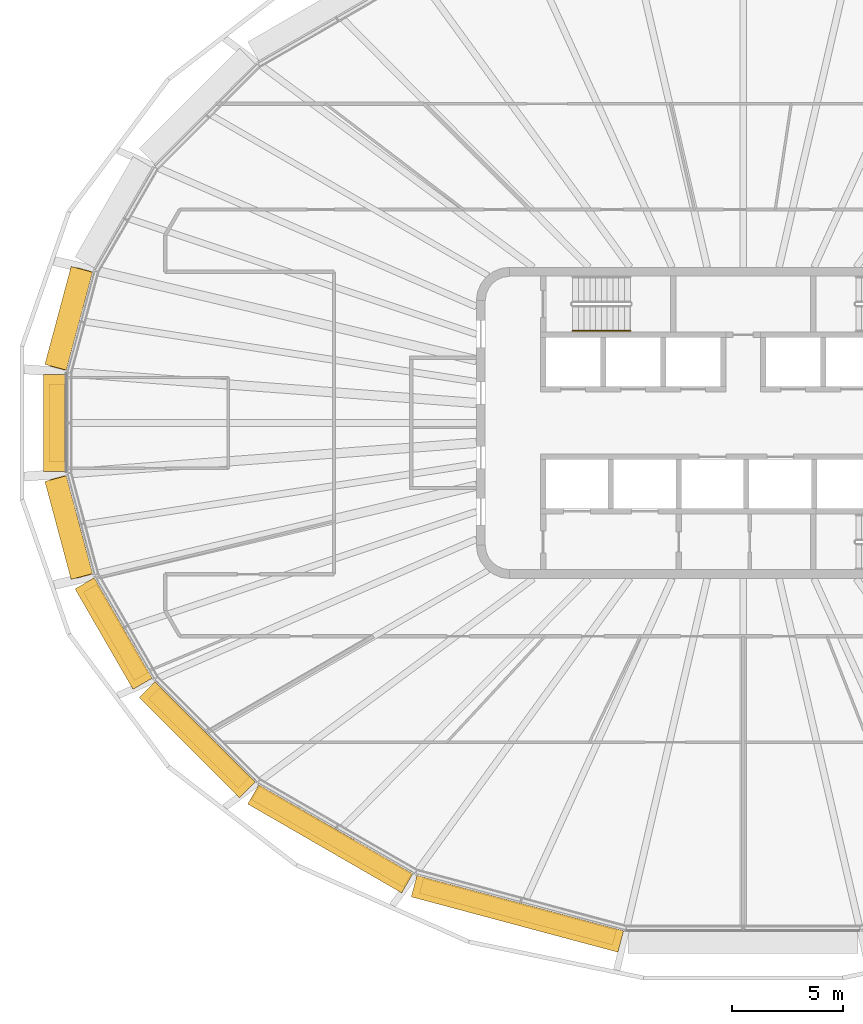
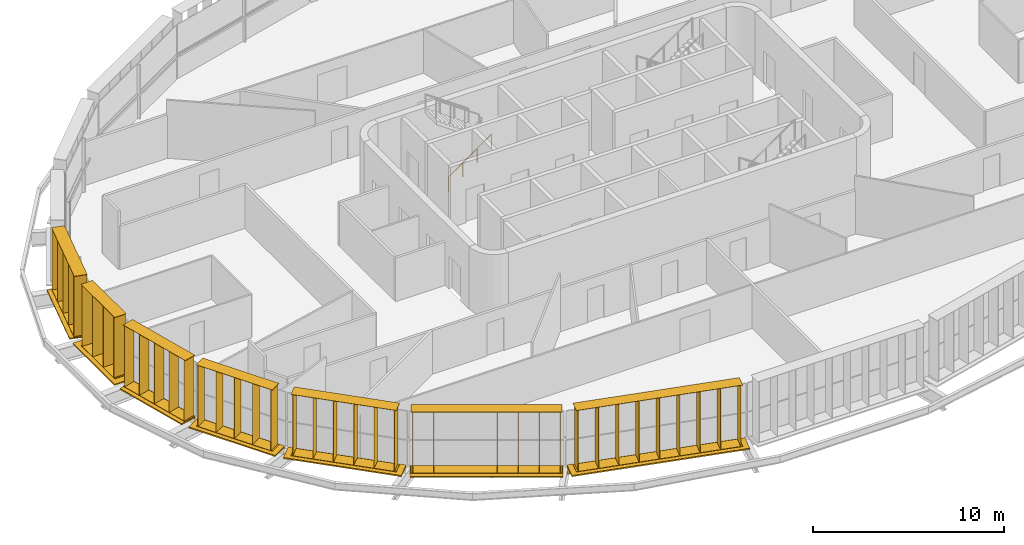
# One storey, part 15 of 19: 14 shading devices, 1 railing.
"""IFC4 building model written with IfcOpenShell, lengths in metres."""

from ifc_helpers import new_model, si_unit, direction, frame, origin, origin_2d, place, context, subcontext, project, spatial, rectangle, circle, extrude, material, type_object, element, save


model = new_model("IFC4")

# Units and contexts
model_context = context("Model", 3, precision=1e-05, world=origin(), true_north=direction((0.0, 1.0)))
body_context = subcontext(model_context, "Body", "Model", "MODEL_VIEW")
ifc_project = project(units=[si_unit("LENGTHUNIT", "METRE"), si_unit("AREAUNIT", "SQUARE_METRE"), si_unit("VOLUMEUNIT", "CUBIC_METRE"), si_unit("PLANEANGLEUNIT", "RADIAN"), si_unit("MASSUNIT", "GRAM", prefix="KILO")], contexts=[model_context])

# Site, building, storey
site_placement = place(None, origin())
site = spatial("IfcSite", under=ifc_project, at=site_placement, CompositionType="ELEMENT")
building_placement = place(site_placement, origin())
building = spatial("IfcBuilding", under=site, at=building_placement, Name="Sahrelin Media Tower", CompositionType="ELEMENT")
storey_placement = place(building_placement, frame((0.0, 0.0, 241.60009765625)))
storey = spatial("IfcBuildingStorey", under=building, at=storey_placement, Name="L52", CompositionType="ELEMENT", Elevation=241.60009765625)

# Shading devices
ifc_material_1 = material(Name="Champagne anodised aluminium 6063-T6", Category="aluminium")
shading_device_type_1 = type_object("IfcShadingDeviceType", Name="Fin cassette", PredefinedType="USERDEFINED", material=ifc_material_1)
placement_1 = place(storey_placement, frame((-29.834228515625, 4.572265625, 0.0), z_axis=(0.0, 0.0, 1.0), x_axis=(0.258807731996, 0.965928857556, 0.0)))
element("IfcShadingDevice", 1, at=placement_1, inside=storey, type_object=shading_device_type_1, Name="L52:FIN:L52-11", ObjectType="FIN", PredefinedType="USERDEFINED", context=body_context, shape_type="SweptSolid", body=[
    extrude(rectangle(XDim=4.60009765625, YDim=0.699951171875, at=origin_2d()), frame((0.0, 0.419921875, 0.0)), (0.0, 0.0, 1.0), 0.02001953125),
    extrude(rectangle(XDim=4.60009765625, YDim=0.699951171875, at=origin_2d()), frame((0.0, 0.419921875, 3.89990234375)), (0.0, 0.0, 1.0), 0.02001953125),
    extrude(rectangle(XDim=0.02001953125, YDim=0.699951171875, at=origin_2d()), frame((-2.199951171875, 0.419921875, 0.010009765625), z_axis=(0.0, 0.0, 1.0), x_axis=(1.0, 0.0, 0.0)), (0.0, 0.0, 1.0), 3.89990234375),
    extrude(rectangle(XDim=0.02001953125, YDim=0.699951171875, at=origin_2d()), frame((-1.10009765625, 0.419921875, 0.010009765625), z_axis=(0.0, 0.0, 1.0), x_axis=(1.0, 0.0, 0.0)), (0.0, 0.0, 1.0), 3.89990234375),
    extrude(rectangle(XDim=0.02001953125, YDim=0.699951171875, at=origin_2d()), frame((0.0, 0.419921875, 0.010009765625), z_axis=(0.0, 0.0, 1.0), x_axis=(1.0, 0.0, 0.0)), (0.0, 0.0, 1.0), 3.89990234375),
    extrude(rectangle(XDim=0.02001953125, YDim=0.699951171875, at=origin_2d()), frame((1.10009765625, 0.419921875, 0.010009765625), z_axis=(0.0, 0.0, 1.0), x_axis=(1.0, 0.0, 0.0)), (0.0, 0.0, 1.0), 3.89990234375),
    extrude(rectangle(XDim=0.02001953125, YDim=0.699951171875, at=origin_2d()), frame((2.199951171875, 0.419921875, 0.010009765625), z_axis=(0.0, 0.0, 1.0), x_axis=(1.0, 0.0, 0.0)), (0.0, 0.0, 1.0), 3.89990234375),
])
placement_2 = place(storey_placement, frame((-30.449951171875, 0.0, 0.0), z_axis=(0.0, 0.0, 1.0), x_axis=(0.0, 1.0, 0.0)))
element("IfcShadingDevice", 2, at=placement_2, inside=storey, type_object=shading_device_type_1, Name="L52:FIN:L52-12", ObjectType="FIN", PredefinedType="USERDEFINED", context=body_context, shape_type="SweptSolid", body=[
    extrude(rectangle(XDim=3.5, YDim=0.699951171875, at=origin_2d()), frame((0.0, 0.419921875, 0.0)), (0.0, 0.0, 1.0), 0.02001953125),
    extrude(rectangle(XDim=3.5, YDim=0.699951171875, at=origin_2d()), frame((0.0, 0.419921875, 3.89990234375)), (0.0, 0.0, 1.0), 0.02001953125),
    extrude(rectangle(XDim=0.02001953125, YDim=0.699951171875, at=origin_2d()), frame((-1.64990234375, 0.419921875, 0.010009765625), z_axis=(0.0, 0.0, 1.0), x_axis=(1.0, 0.0, 0.0)), (0.0, 0.0, 1.0), 3.89990234375),
    extrude(rectangle(XDim=0.02001953125, YDim=0.699951171875, at=origin_2d()), frame((-0.550048828125, 0.419921875, 0.010009765625), z_axis=(0.0, 0.0, 1.0), x_axis=(1.0, 0.0, 0.0)), (0.0, 0.0, 1.0), 3.89990234375),
    extrude(rectangle(XDim=0.02001953125, YDim=0.699951171875, at=origin_2d()), frame((0.550048828125, 0.419921875, 0.010009765625), z_axis=(0.0, 0.0, 1.0), x_axis=(1.0, 0.0, 0.0)), (0.0, 0.0, 1.0), 3.89990234375),
    extrude(rectangle(XDim=0.02001953125, YDim=0.699951171875, at=origin_2d()), frame((1.64990234375, 0.419921875, 0.010009765625), z_axis=(0.0, 0.0, 1.0), x_axis=(1.0, 0.0, 0.0)), (0.0, 0.0, 1.0), 3.89990234375),
])
placement_3 = place(storey_placement, frame((-29.83447265625, -4.572265625, 0.0), z_axis=(0.0, 0.0, 1.0), x_axis=(-0.258807731996, 0.965928857556, 0.0)))
element("IfcShadingDevice", 3, at=placement_3, inside=storey, type_object=shading_device_type_1, Name="L52:FIN:L52-13", ObjectType="FIN", PredefinedType="USERDEFINED", context=body_context, shape_type="SweptSolid", body=[
    extrude(rectangle(XDim=4.60009765625, YDim=0.699951171875, at=origin_2d()), frame((0.0, 0.419921875, 0.0)), (0.0, 0.0, 1.0), 0.02001953125),
    extrude(rectangle(XDim=4.60009765625, YDim=0.699951171875, at=origin_2d()), frame((0.0, 0.419921875, 3.89990234375)), (0.0, 0.0, 1.0), 0.02001953125),
    extrude(rectangle(XDim=0.02001953125, YDim=0.699951171875, at=origin_2d()), frame((-2.199951171875, 0.419921875, 0.010009765625), z_axis=(0.0, 0.0, 1.0), x_axis=(1.0, 0.0, 0.0)), (0.0, 0.0, 1.0), 3.89990234375),
    extrude(rectangle(XDim=0.02001953125, YDim=0.699951171875, at=origin_2d()), frame((-1.10009765625, 0.419921875, 0.010009765625), z_axis=(0.0, 0.0, 1.0), x_axis=(1.0, 0.0, 0.0)), (0.0, 0.0, 1.0), 3.89990234375),
    extrude(rectangle(XDim=0.02001953125, YDim=0.699951171875, at=origin_2d()), frame((0.0, 0.419921875, 0.010009765625), z_axis=(0.0, 0.0, 1.0), x_axis=(1.0, 0.0, 0.0)), (0.0, 0.0, 1.0), 3.89990234375),
    extrude(rectangle(XDim=0.02001953125, YDim=0.699951171875, at=origin_2d()), frame((1.10009765625, 0.419921875, 0.010009765625), z_axis=(0.0, 0.0, 1.0), x_axis=(1.0, 0.0, 0.0)), (0.0, 0.0, 1.0), 3.89990234375),
    extrude(rectangle(XDim=0.02001953125, YDim=0.699951171875, at=origin_2d()), frame((2.199951171875, 0.419921875, 0.010009765625), z_axis=(0.0, 0.0, 1.0), x_axis=(1.0, 0.0, 0.0)), (0.0, 0.0, 1.0), 3.89990234375),
])
placement_4 = place(storey_placement, frame((-27.865234375, -9.214111328125, 0.0), z_axis=(0.0, 0.0, 1.0), x_axis=(-0.500011000363, 0.866019052629, 0.0)))
element("IfcShadingDevice", 4, at=placement_4, inside=storey, type_object=shading_device_type_1, Name="L52:FIN:L52-14", ObjectType="FIN", PredefinedType="USERDEFINED", context=body_context, shape_type="SweptSolid", body=[
    extrude(rectangle(XDim=4.60009765625, YDim=0.699951171875, at=origin_2d()), frame((0.0, 0.419921875, 0.0)), (0.0, 0.0, 1.0), 0.02001953125),
    extrude(rectangle(XDim=4.60009765625, YDim=0.699951171875, at=origin_2d()), frame((0.0, 0.419921875, 3.89990234375)), (0.0, 0.0, 1.0), 0.02001953125),
    extrude(rectangle(XDim=0.02001953125, YDim=0.699951171875, at=origin_2d()), frame((-2.199951171875, 0.419921875, 0.010009765625), z_axis=(0.0, 0.0, 1.0), x_axis=(1.0, 0.0, 0.0)), (0.0, 0.0, 1.0), 3.89990234375),
    extrude(rectangle(XDim=0.02001953125, YDim=0.699951171875, at=origin_2d()), frame((-1.10009765625, 0.419921875, 0.010009765625), z_axis=(0.0, 0.0, 1.0), x_axis=(1.0, 0.0, 0.0)), (0.0, 0.0, 1.0), 3.89990234375),
    extrude(rectangle(XDim=0.02001953125, YDim=0.699951171875, at=origin_2d()), frame((0.0, 0.419921875, 0.010009765625), z_axis=(0.0, 0.0, 1.0), x_axis=(1.0, 0.0, 0.0)), (0.0, 0.0, 1.0), 3.89990234375),
    extrude(rectangle(XDim=0.02001953125, YDim=0.699951171875, at=origin_2d()), frame((1.10009765625, 0.419921875, 0.010009765625), z_axis=(0.0, 0.0, 1.0), x_axis=(1.0, 0.0, 0.0)), (0.0, 0.0, 1.0), 3.89990234375),
    extrude(rectangle(XDim=0.02001953125, YDim=0.699951171875, at=origin_2d()), frame((2.199951171875, 0.419921875, 0.010009765625), z_axis=(0.0, 0.0, 1.0), x_axis=(1.0, 0.0, 0.0)), (0.0, 0.0, 1.0), 3.89990234375),
])
placement_5 = place(storey_placement, frame((-24.1865234375, -13.883544921875, 0.0), z_axis=(0.0, 0.0, 1.0), x_axis=(-0.707106781187, 0.707106781187, 0.0)))
element("IfcShadingDevice", 5, at=placement_5, inside=storey, type_object=shading_device_type_1, Name="L52:FIN:L52-15", ObjectType="FIN", PredefinedType="USERDEFINED", context=body_context, shape_type="SweptSolid", body=[
    extrude(rectangle(XDim=5.699951171875, YDim=0.699951171875, at=origin_2d()), frame((0.0, 0.419921875, 0.0)), (0.0, 0.0, 1.0), 0.02001953125),
    extrude(rectangle(XDim=5.699951171875, YDim=0.699951171875, at=origin_2d()), frame((0.0, 0.419921875, 3.89990234375)), (0.0, 0.0, 1.0), 0.02001953125),
    extrude(rectangle(XDim=0.02001953125, YDim=0.699951171875, at=origin_2d()), frame((-2.75, 0.419921875, 0.010009765625), z_axis=(0.0, 0.0, 1.0), x_axis=(1.0, 0.0, 0.0)), (0.0, 0.0, 1.0), 3.89990234375),
    extrude(rectangle(XDim=0.02001953125, YDim=0.699951171875, at=origin_2d()), frame((-1.64990234375, 0.419921875, 0.010009765625), z_axis=(0.0, 0.0, 1.0), x_axis=(1.0, 0.0, 0.0)), (0.0, 0.0, 1.0), 3.89990234375),
    extrude(rectangle(XDim=0.02001953125, YDim=0.699951171875, at=origin_2d()), frame((-0.550048828125, 0.419921875, 0.010009765625), z_axis=(0.0, 0.0, 1.0), x_axis=(1.0, 0.0, 0.0)), (0.0, 0.0, 1.0), 3.89990234375),
    extrude(rectangle(XDim=0.02001953125, YDim=0.699951171875, at=origin_2d()), frame((0.550048828125, 0.419921875, 0.010009765625), z_axis=(0.0, 0.0, 1.0), x_axis=(1.0, 0.0, 0.0)), (0.0, 0.0, 1.0), 3.89990234375),
    extrude(rectangle(XDim=0.02001953125, YDim=0.699951171875, at=origin_2d()), frame((1.64990234375, 0.419921875, 0.010009765625), z_axis=(0.0, 0.0, 1.0), x_axis=(1.0, 0.0, 0.0)), (0.0, 0.0, 1.0), 3.89990234375),
    extrude(rectangle(XDim=0.02001953125, YDim=0.699951171875, at=origin_2d()), frame((2.75, 0.419921875, 0.010009765625), z_axis=(0.0, 0.0, 1.0), x_axis=(1.0, 0.0, 0.0)), (0.0, 0.0, 1.0), 3.89990234375),
])
placement_6 = place(storey_placement, frame((-18.3115234375, -18.25830078125, 0.0), z_axis=(0.0, 0.0, 1.0), x_axis=(-0.866019052629, 0.500011000363, 0.0)))
element("IfcShadingDevice", 6, at=placement_6, inside=storey, type_object=shading_device_type_1, Name="L52:FIN:L52-16", ObjectType="FIN", PredefinedType="USERDEFINED", context=body_context, shape_type="SweptSolid", body=[
    extrude(rectangle(XDim=7.89990234375, YDim=0.699951171875, at=origin_2d()), frame((0.0, 0.419921875, 0.0)), (0.0, 0.0, 1.0), 0.02001953125),
    extrude(rectangle(XDim=7.89990234375, YDim=0.699951171875, at=origin_2d()), frame((0.0, 0.419921875, 3.89990234375)), (0.0, 0.0, 1.0), 0.02001953125),
    extrude(rectangle(XDim=0.02001953125, YDim=0.699951171875, at=origin_2d()), frame((-3.85009765625, 0.419921875, 0.010009765625), z_axis=(0.0, 0.0, 1.0), x_axis=(1.0, 0.0, 0.0)), (0.0, 0.0, 1.0), 3.89990234375),
    extrude(rectangle(XDim=0.02001953125, YDim=0.699951171875, at=origin_2d()), frame((-2.75, 0.419921875, 0.010009765625), z_axis=(0.0, 0.0, 1.0), x_axis=(1.0, 0.0, 0.0)), (0.0, 0.0, 1.0), 3.89990234375),
    extrude(rectangle(XDim=0.02001953125, YDim=0.699951171875, at=origin_2d()), frame((-1.64990234375, 0.419921875, 0.010009765625), z_axis=(0.0, 0.0, 1.0), x_axis=(1.0, 0.0, 0.0)), (0.0, 0.0, 1.0), 3.89990234375),
    extrude(rectangle(XDim=0.02001953125, YDim=0.699951171875, at=origin_2d()), frame((-0.550048828125, 0.419921875, 0.010009765625), z_axis=(0.0, 0.0, 1.0), x_axis=(1.0, 0.0, 0.0)), (0.0, 0.0, 1.0), 3.89990234375),
    extrude(rectangle(XDim=0.02001953125, YDim=0.699951171875, at=origin_2d()), frame((0.550048828125, 0.419921875, 0.010009765625), z_axis=(0.0, 0.0, 1.0), x_axis=(1.0, 0.0, 0.0)), (0.0, 0.0, 1.0), 3.89990234375),
    extrude(rectangle(XDim=0.02001953125, YDim=0.699951171875, at=origin_2d()), frame((1.64990234375, 0.419921875, 0.010009765625), z_axis=(0.0, 0.0, 1.0), x_axis=(1.0, 0.0, 0.0)), (0.0, 0.0, 1.0), 3.89990234375),
    extrude(rectangle(XDim=0.02001953125, YDim=0.699951171875, at=origin_2d()), frame((2.75, 0.419921875, 0.010009765625), z_axis=(0.0, 0.0, 1.0), x_axis=(1.0, 0.0, 0.0)), (0.0, 0.0, 1.0), 3.89990234375),
    extrude(rectangle(XDim=0.02001953125, YDim=0.699951171875, at=origin_2d()), frame((3.85009765625, 0.419921875, 0.010009765625), z_axis=(0.0, 0.0, 1.0), x_axis=(1.0, 0.0, 0.0)), (0.0, 0.0, 1.0), 3.89990234375),
])
placement_7 = place(storey_placement, frame((-10.017578125, -21.57861328125, 0.0), z_axis=(0.0, 0.0, 1.0), x_axis=(-0.965928857556, 0.258807731996, 0.0)))
element("IfcShadingDevice", 7, at=placement_7, inside=storey, type_object=shading_device_type_1, Name="L52:FIN:L52-17", ObjectType="FIN", PredefinedType="USERDEFINED", context=body_context, shape_type="SweptSolid", body=[
    extrude(rectangle(XDim=9.0, YDim=0.699951171875, at=origin_2d()), frame((0.0, 0.419921875, 0.0)), (0.0, 0.0, 1.0), 0.02001953125),
    extrude(rectangle(XDim=9.0, YDim=0.699951171875, at=origin_2d()), frame((0.0, 0.419921875, 3.89990234375)), (0.0, 0.0, 1.0), 0.02001953125),
    extrude(rectangle(XDim=0.02001953125, YDim=0.699951171875, at=origin_2d()), frame((-4.39990234375, 0.419921875, 0.010009765625), z_axis=(0.0, 0.0, 1.0), x_axis=(1.0, 0.0, 0.0)), (0.0, 0.0, 1.0), 3.89990234375),
    extrude(rectangle(XDim=0.02001953125, YDim=0.699951171875, at=origin_2d()), frame((-3.300048828125, 0.419921875, 0.010009765625), z_axis=(0.0, 0.0, 1.0), x_axis=(1.0, 0.0, 0.0)), (0.0, 0.0, 1.0), 3.89990234375),
    extrude(rectangle(XDim=0.02001953125, YDim=0.699951171875, at=origin_2d()), frame((-2.199951171875, 0.419921875, 0.010009765625), z_axis=(0.0, 0.0, 1.0), x_axis=(1.0, 0.0, 0.0)), (0.0, 0.0, 1.0), 3.89990234375),
    extrude(rectangle(XDim=0.02001953125, YDim=0.699951171875, at=origin_2d()), frame((-1.10009765625, 0.419921875, 0.010009765625), z_axis=(0.0, 0.0, 1.0), x_axis=(1.0, 0.0, 0.0)), (0.0, 0.0, 1.0), 3.89990234375),
    extrude(rectangle(XDim=0.02001953125, YDim=0.699951171875, at=origin_2d()), frame((0.0, 0.419921875, 0.010009765625), z_axis=(0.0, 0.0, 1.0), x_axis=(1.0, 0.0, 0.0)), (0.0, 0.0, 1.0), 3.89990234375),
    extrude(rectangle(XDim=0.02001953125, YDim=0.699951171875, at=origin_2d()), frame((1.10009765625, 0.419921875, 0.010009765625), z_axis=(0.0, 0.0, 1.0), x_axis=(1.0, 0.0, 0.0)), (0.0, 0.0, 1.0), 3.89990234375),
    extrude(rectangle(XDim=0.02001953125, YDim=0.699951171875, at=origin_2d()), frame((2.199951171875, 0.419921875, 0.010009765625), z_axis=(0.0, 0.0, 1.0), x_axis=(1.0, 0.0, 0.0)), (0.0, 0.0, 1.0), 3.89990234375),
    extrude(rectangle(XDim=0.02001953125, YDim=0.699951171875, at=origin_2d()), frame((3.300048828125, 0.419921875, 0.010009765625), z_axis=(0.0, 0.0, 1.0), x_axis=(1.0, 0.0, 0.0)), (0.0, 0.0, 1.0), 3.89990234375),
    extrude(rectangle(XDim=0.02001953125, YDim=0.699951171875, at=origin_2d()), frame((4.39990234375, 0.419921875, 0.010009765625), z_axis=(0.0, 0.0, 1.0), x_axis=(1.0, 0.0, 0.0)), (0.0, 0.0, 1.0), 3.89990234375),
])

# Railing
ifc_material_2 = material(Name="Steel S355", Category="steel")
railing_type = type_object("IfcRailingType", Name="Stair handrail 900", PredefinedType="HANDRAIL", material=ifc_material_2)
railing_placement = place(storey_placement, frame((-7.675048828125, 4.14990234375, 0.181640625)))
element("IfcRailing", 8, at=railing_placement, inside=storey, type_object=railing_type, Name="L52 ST1 stair handrail 1", PredefinedType="HANDRAIL", context=body_context, shape_type="SweptSolid", body=[
    extrude(circle(Radius=0.02392578125, at=origin_2d()), frame((0.0, 0.0, 0.8759765625), z_axis=(0.819484887739, 0.0, 0.573100792852), x_axis=(0.0, 1.0, 0.0)), (0.0, 0.0, 1.0), 3.1728515625),
    extrude(circle(Radius=0.02099609375, at=origin_2d()), origin(), (0.0, 0.0, 1.0), 0.851806640625),
    extrude(circle(Radius=0.02099609375, at=origin_2d()), frame((0.86669921875, 0.0, 0.606201171875)), (0.0, 0.0, 1.0), 0.851806640625),
    extrude(circle(Radius=0.02099609375, at=origin_2d()), frame((1.7333984375, 0.0, 1.212158203125)), (0.0, 0.0, 1.0), 0.851806640625),
    extrude(circle(Radius=0.02099609375, at=origin_2d()), frame((2.60009765625, 0.0, 1.818359375)), (0.0, 0.0, 1.0), 0.851806640625),
])

# Shading devices
shading_device_type_2 = type_object("IfcShadingDeviceType", Name="Sunshade band", PredefinedType="USERDEFINED", material=ifc_material_1)
element("IfcShadingDevice", 9, at=placement_1, inside=storey, type_object=shading_device_type_2, Name="L52:SUN:L52-11", ObjectType="SUNSHADE", PredefinedType="USERDEFINED", context=body_context, shape_type="SweptSolid", body=[
    extrude(rectangle(XDim=4.5576171875, YDim=0.050048828125, at=origin_2d()), frame((0.0, 0.044921875, -0.55126953125)), (0.0, 0.0, 1.0), 0.471435546875),
    extrude(rectangle(XDim=4.5576171875, YDim=1.0, at=origin_2d()), frame((0.0, 0.52001953125, -0.080078125)), (0.0, 0.0, 1.0), 0.080078125),
    extrude(rectangle(XDim=0.10009765625, YDim=0.074951171875, at=origin_2d()), frame((-2.1787109375, -0.017578125, -0.47021484375)), (0.0, 0.0, 1.0), 0.300048828125),
    extrude(rectangle(XDim=0.10009765625, YDim=0.074951171875, at=origin_2d()), frame((-0.726318359375, -0.017578125, -0.47021484375)), (0.0, 0.0, 1.0), 0.300048828125),
    extrude(rectangle(XDim=0.10009765625, YDim=0.074951171875, at=origin_2d()), frame((0.726318359375, -0.017578125, -0.47021484375)), (0.0, 0.0, 1.0), 0.300048828125),
    extrude(rectangle(XDim=0.10009765625, YDim=0.074951171875, at=origin_2d()), frame((2.1787109375, -0.017578125, -0.47021484375)), (0.0, 0.0, 1.0), 0.300048828125),
])
element("IfcShadingDevice", 10, at=placement_2, inside=storey, type_object=shading_device_type_2, Name="L52:SUN:L52-12", ObjectType="SUNSHADE", PredefinedType="USERDEFINED", context=body_context, shape_type="SweptSolid", body=[
    extrude(rectangle(XDim=4.34912109375, YDim=0.050048828125, at=origin_2d()), frame((0.0, 0.044921875, -0.55126953125)), (0.0, 0.0, 1.0), 0.471435546875),
    extrude(rectangle(XDim=4.34912109375, YDim=1.0, at=origin_2d()), frame((0.0, 0.52001953125, -0.080078125)), (0.0, 0.0, 1.0), 0.080078125),
    extrude(rectangle(XDim=0.10009765625, YDim=0.074951171875, at=origin_2d()), frame((-2.074462890625, -0.017578125, -0.47021484375)), (0.0, 0.0, 1.0), 0.300048828125),
    extrude(rectangle(XDim=0.10009765625, YDim=0.074951171875, at=origin_2d()), frame((-0.69140625, -0.017578125, -0.47021484375)), (0.0, 0.0, 1.0), 0.300048828125),
    extrude(rectangle(XDim=0.10009765625, YDim=0.074951171875, at=origin_2d()), frame((0.69140625, -0.017578125, -0.47021484375)), (0.0, 0.0, 1.0), 0.300048828125),
    extrude(rectangle(XDim=0.10009765625, YDim=0.074951171875, at=origin_2d()), frame((2.074462890625, -0.017578125, -0.47021484375)), (0.0, 0.0, 1.0), 0.300048828125),
])
element("IfcShadingDevice", 11, at=placement_3, inside=storey, type_object=shading_device_type_2, Name="L52:SUN:L52-13", ObjectType="SUNSHADE", PredefinedType="USERDEFINED", context=body_context, shape_type="SweptSolid", body=[
    extrude(rectangle(XDim=4.5576171875, YDim=0.050048828125, at=origin_2d()), frame((0.0, 0.044921875, -0.55126953125)), (0.0, 0.0, 1.0), 0.471435546875),
    extrude(rectangle(XDim=4.5576171875, YDim=1.0, at=origin_2d()), frame((0.0, 0.52001953125, -0.080078125)), (0.0, 0.0, 1.0), 0.080078125),
    extrude(rectangle(XDim=0.10009765625, YDim=0.074951171875, at=origin_2d()), frame((-2.1787109375, -0.017578125, -0.47021484375)), (0.0, 0.0, 1.0), 0.300048828125),
    extrude(rectangle(XDim=0.10009765625, YDim=0.074951171875, at=origin_2d()), frame((-0.726318359375, -0.017578125, -0.47021484375)), (0.0, 0.0, 1.0), 0.300048828125),
    extrude(rectangle(XDim=0.10009765625, YDim=0.074951171875, at=origin_2d()), frame((0.726318359375, -0.017578125, -0.47021484375)), (0.0, 0.0, 1.0), 0.300048828125),
    extrude(rectangle(XDim=0.10009765625, YDim=0.074951171875, at=origin_2d()), frame((2.1787109375, -0.017578125, -0.47021484375)), (0.0, 0.0, 1.0), 0.300048828125),
])
element("IfcShadingDevice", 12, at=placement_4, inside=storey, type_object=shading_device_type_2, Name="L52:SUN:L52-14", ObjectType="SUNSHADE", PredefinedType="USERDEFINED", context=body_context, shape_type="SweptSolid", body=[
    extrude(rectangle(XDim=5.21337890625, YDim=0.050048828125, at=origin_2d()), frame((0.0, 0.044921875, -0.55126953125)), (0.0, 0.0, 1.0), 0.471435546875),
    extrude(rectangle(XDim=5.21337890625, YDim=1.0, at=origin_2d()), frame((0.0, 0.52001953125, -0.080078125)), (0.0, 0.0, 1.0), 0.080078125),
    extrude(rectangle(XDim=0.10009765625, YDim=0.074951171875, at=origin_2d()), frame((-2.5068359375, -0.017578125, -0.47021484375)), (0.0, 0.0, 1.0), 0.300048828125),
    extrude(rectangle(XDim=0.10009765625, YDim=0.074951171875, at=origin_2d()), frame((-0.835693359375, -0.017578125, -0.47021484375)), (0.0, 0.0, 1.0), 0.300048828125),
    extrude(rectangle(XDim=0.10009765625, YDim=0.074951171875, at=origin_2d()), frame((0.835693359375, -0.017578125, -0.47021484375)), (0.0, 0.0, 1.0), 0.300048828125),
    extrude(rectangle(XDim=0.10009765625, YDim=0.074951171875, at=origin_2d()), frame((2.5068359375, -0.017578125, -0.47021484375)), (0.0, 0.0, 1.0), 0.300048828125),
])
element("IfcShadingDevice", 13, at=placement_5, inside=storey, type_object=shading_device_type_2, Name="L52:SUN:L52-15", ObjectType="SUNSHADE", PredefinedType="USERDEFINED", context=body_context, shape_type="SweptSolid", body=[
    extrude(rectangle(XDim=6.377197265625, YDim=0.050048828125, at=origin_2d()), frame((0.0, 0.044921875, -0.55126953125)), (0.0, 0.0, 1.0), 0.471435546875),
    extrude(rectangle(XDim=6.377197265625, YDim=1.0, at=origin_2d()), frame((0.0, 0.52001953125, -0.080078125)), (0.0, 0.0, 1.0), 0.080078125),
    extrude(rectangle(XDim=0.10009765625, YDim=0.074951171875, at=origin_2d()), frame((-3.08837890625, -0.017578125, -0.47021484375)), (0.0, 0.0, 1.0), 0.300048828125),
    extrude(rectangle(XDim=0.10009765625, YDim=0.074951171875, at=origin_2d()), frame((-1.544189453125, -0.017578125, -0.47021484375)), (0.0, 0.0, 1.0), 0.300048828125),
    extrude(rectangle(XDim=0.10009765625, YDim=0.074951171875, at=origin_2d()), frame((0.0, -0.017578125, -0.47021484375)), (0.0, 0.0, 1.0), 0.300048828125),
    extrude(rectangle(XDim=0.10009765625, YDim=0.074951171875, at=origin_2d()), frame((1.544189453125, -0.017578125, -0.47021484375)), (0.0, 0.0, 1.0), 0.300048828125),
    extrude(rectangle(XDim=0.10009765625, YDim=0.074951171875, at=origin_2d()), frame((3.08837890625, -0.017578125, -0.47021484375)), (0.0, 0.0, 1.0), 0.300048828125),
])
element("IfcShadingDevice", 14, at=placement_6, inside=storey, type_object=shading_device_type_2, Name="L52:SUN:L52-16", ObjectType="SUNSHADE", PredefinedType="USERDEFINED", context=body_context, shape_type="SweptSolid", body=[
    extrude(rectangle(XDim=7.997314453125, YDim=0.050048828125, at=origin_2d()), frame((0.0, 0.044921875, -0.55126953125)), (0.0, 0.0, 1.0), 0.471435546875),
    extrude(rectangle(XDim=7.997314453125, YDim=1.0, at=origin_2d()), frame((0.0, 0.52001953125, -0.080078125)), (0.0, 0.0, 1.0), 0.080078125),
    extrude(rectangle(XDim=0.10009765625, YDim=0.074951171875, at=origin_2d()), frame((-3.898681640625, -0.017578125, -0.47021484375)), (0.0, 0.0, 1.0), 0.300048828125),
    extrude(rectangle(XDim=0.10009765625, YDim=0.074951171875, at=origin_2d()), frame((-1.949462890625, -0.017578125, -0.47021484375)), (0.0, 0.0, 1.0), 0.300048828125),
    extrude(rectangle(XDim=0.10009765625, YDim=0.074951171875, at=origin_2d()), frame((0.0, -0.017578125, -0.47021484375)), (0.0, 0.0, 1.0), 0.300048828125),
    extrude(rectangle(XDim=0.10009765625, YDim=0.074951171875, at=origin_2d()), frame((1.949462890625, -0.017578125, -0.47021484375)), (0.0, 0.0, 1.0), 0.300048828125),
    extrude(rectangle(XDim=0.10009765625, YDim=0.074951171875, at=origin_2d()), frame((3.898681640625, -0.017578125, -0.47021484375)), (0.0, 0.0, 1.0), 0.300048828125),
])
element("IfcShadingDevice", 15, at=placement_7, inside=storey, type_object=shading_device_type_2, Name="L52:SUN:L52-17", ObjectType="SUNSHADE", PredefinedType="USERDEFINED", context=body_context, shape_type="SweptSolid", body=[
    extrude(rectangle(XDim=9.623291015625, YDim=0.050048828125, at=origin_2d()), frame((0.0, 0.044921875, -0.55126953125)), (0.0, 0.0, 1.0), 0.471435546875),
    extrude(rectangle(XDim=9.623291015625, YDim=1.0, at=origin_2d()), frame((0.0, 0.52001953125, -0.080078125)), (0.0, 0.0, 1.0), 0.080078125),
    extrude(rectangle(XDim=0.10009765625, YDim=0.074951171875, at=origin_2d()), frame((-4.711669921875, -0.017578125, -0.47021484375)), (0.0, 0.0, 1.0), 0.300048828125),
    extrude(rectangle(XDim=0.10009765625, YDim=0.074951171875, at=origin_2d()), frame((-2.826904296875, -0.017578125, -0.47021484375)), (0.0, 0.0, 1.0), 0.300048828125),
    extrude(rectangle(XDim=0.10009765625, YDim=0.074951171875, at=origin_2d()), frame((-0.9423828125, -0.017578125, -0.47021484375)), (0.0, 0.0, 1.0), 0.300048828125),
    extrude(rectangle(XDim=0.10009765625, YDim=0.074951171875, at=origin_2d()), frame((0.9423828125, -0.017578125, -0.47021484375)), (0.0, 0.0, 1.0), 0.300048828125),
    extrude(rectangle(XDim=0.10009765625, YDim=0.074951171875, at=origin_2d()), frame((2.826904296875, -0.017578125, -0.47021484375)), (0.0, 0.0, 1.0), 0.300048828125),
    extrude(rectangle(XDim=0.10009765625, YDim=0.074951171875, at=origin_2d()), frame((4.711669921875, -0.017578125, -0.47021484375)), (0.0, 0.0, 1.0), 0.300048828125),
])

save(model, "model.ifc")
